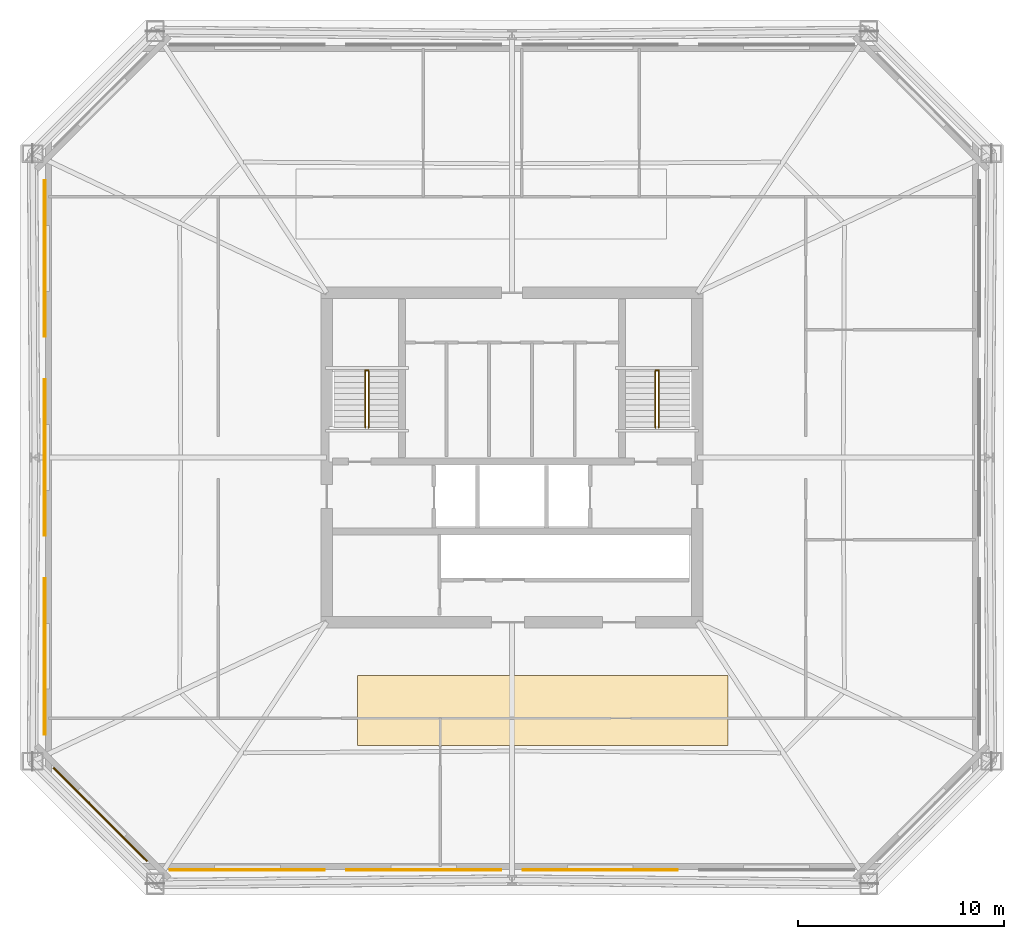
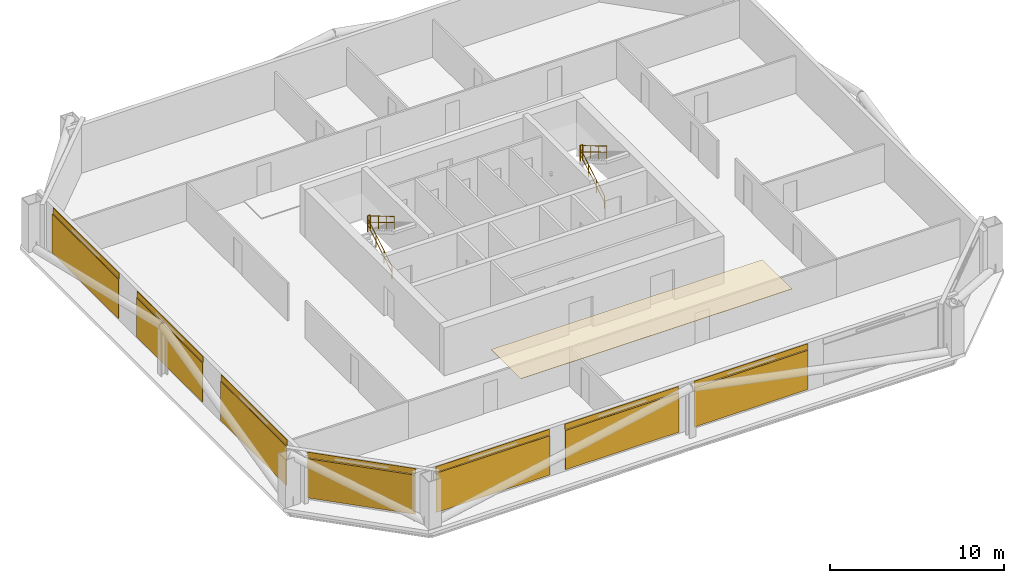
# One storey, part 5 of 6: 8 coverings, 7 shading devices, 6 railings.
"""IFC4 building model written with IfcOpenShell, lengths in metres."""

from ifc_helpers import new_model, si_unit, direction, frame, origin, origin_2d, place, context, subcontext, project, spatial, polyline, rectangle, circle, outline, extrude, material, layer, layer_set, type_object, element, save


model = new_model("IFC4")

# Units and contexts
model_context = context("Model", 3, precision=1e-05, world=origin(), true_north=direction((0.0, 1.0)))
body_context = subcontext(model_context, "Body", "Model", "MODEL_VIEW")
ifc_project = project(units=[si_unit("LENGTHUNIT", "METRE"), si_unit("AREAUNIT", "SQUARE_METRE"), si_unit("VOLUMEUNIT", "CUBIC_METRE"), si_unit("PLANEANGLEUNIT", "RADIAN"), si_unit("MASSUNIT", "GRAM", prefix="KILO")], contexts=[model_context])

# Site, building, storey
site_placement = place(None, origin())
site = spatial("IfcSite", under=ifc_project, at=site_placement, CompositionType="ELEMENT")
building_placement = place(site_placement, origin())
building = spatial("IfcBuilding", under=site, at=building_placement, Name="Caelvoria Tower", CompositionType="ELEMENT")
storey_placement = place(building_placement, frame((0.0, 0.0, 127.60009765625)))
storey = spatial("IfcBuildingStorey", under=building, at=storey_placement, Name="L33", CompositionType="ELEMENT", Elevation=127.60009765625)

# Coverings
ifc_material_1 = material(Name="Acoustic Mineral Fibre Tile", Category="gypsum")
ifc_layer_1 = layer(ifc_material_1, 0.02490234375, Name="Acoustic Mineral Fibre Tile")
ifc_layer_set_1 = layer_set([ifc_layer_1], Name="Mineral-Fibre Acoustic Suspended Ceiling 25 - Acoustic Mineral Fibre Tile")
covering_type_1 = type_object("IfcCoveringType", Name="Mineral-Fibre Acoustic Suspended Ceiling 25", PredefinedType="CEILING", material=ifc_layer_set_1)
covering_1_placement = place(storey_placement, frame((0.0, 0.0, 2.635009765625)))
element("IfcCovering", 1, at=covering_1_placement, inside=storey, type_object=covering_type_1, Name="Suspended Acoustic Ceiling L33", PredefinedType="CEILING", context=body_context, shape_type="SweptSolid", body=[
    extrude(outline(polyline([(38.5, 18.0), (56.5, 18.0), (56.5, 21.39990234375), (38.5, 21.39990234375), (38.5, 18.0)])), origin(), (0.0, 0.0, 1.0), 0.02490234375),
])
ifc_material_2 = material(Name="Perforated Architectural Bronze Cladding Screen", Category="bronze")
ifc_layer_2 = layer(ifc_material_2, 0.0400390625, Name="Perforated Architectural Bronze Cladding Screen")
ifc_layer_set_2 = layer_set([ifc_layer_2], Name="Perforated Bronze Louvre Cladding Band 40 - Perforated Architectural Bronze Cladding Screen")
covering_type_2 = type_object("IfcCoveringType", Name="Perforated Bronze Louvre Cladding Band 40", PredefinedType="CLADDING", material=ifc_layer_set_2)
for number, where, z_axis, x_axis, name in (
    (2, (33.14501953125, 11.97802734375, 2.93994140625), (0.0, 0.0, 1.0), (1.0, 0.0, 0.0), "Perforated Bronze Screen Band L33-E0-00"),
    (3, (41.715087890625, 11.97802734375, 2.93994140625), (0.0, 0.0, 1.0), (1.0, 0.0, 0.0), "Perforated Bronze Screen Band L33-E0-01"),
    (4, (50.284912109375, 11.97802734375, 2.93994140625), (0.0, 0.0, 1.0), (1.0, 0.0, 0.0), "Perforated Bronze Screen Band L33-E0-02"),
):
    element("IfcCovering", number, at=place(storey_placement, frame(where, z_axis=z_axis, x_axis=x_axis)), inside=storey, type_object=covering_type_2, Name=name, PredefinedType="CLADDING", context=body_context, shape_type="SweptSolid", body=[
        extrude(rectangle(XDim=7.54150390625, YDim=0.0400390625, at=origin_2d()), origin(), (0.0, 0.0, 1.0), 0.39990234375),
    ])
for number, where, z_axis, x_axis, name in (
    (5, (23.327880859375, 41.659912109375, 2.93994140625), (0.0, 0.0, 1.0), (0.0, -1.0, 0.0), "Perforated Bronze Screen Band L33-E6-00"),
    (6, (23.327880859375, 32.0, 2.93994140625), (0.0, 0.0, 1.0), (0.0, -1.0, 0.0), "Perforated Bronze Screen Band L33-E6-01"),
    (7, (23.327880859375, 22.340087890625, 2.93994140625), (0.0, 0.0, 1.0), (0.0, -1.0, 0.0), "Perforated Bronze Screen Band L33-E6-02"),
):
    element("IfcCovering", number, at=place(storey_placement, frame(where, z_axis=z_axis, x_axis=x_axis)), inside=storey, type_object=covering_type_2, Name=name, PredefinedType="CLADDING", context=body_context, shape_type="SweptSolid", body=[
        extrude(rectangle(XDim=7.60009765625, YDim=0.0400390625, at=origin_2d()), origin(), (0.0, 0.0, 1.0), 0.39990234375),
    ])
covering_2_placement = place(storey_placement, frame((26.018310546875, 14.668212890625, 2.93994140625), z_axis=(0.0, 0.0, 1.0), x_axis=(0.707106781187, -0.707106781187, 0.0)))
element("IfcCovering", 8, at=covering_2_placement, inside=storey, type_object=covering_type_2, Name="Perforated Bronze Screen Band L33-E7-00", PredefinedType="CLADDING", context=body_context, shape_type="SweptSolid", body=[
    extrude(rectangle(XDim=6.429931640625, YDim=0.0400390625, at=origin_2d()), origin(), (0.0, 0.0, 1.0), 0.39990234375),
])

# Shading devices
ifc_material_3 = material(Name="Perforated Architectural Bronze Alloy Panel", Category="bronze")
ifc_layer_3 = layer(ifc_material_3, 0.044921875, Name="Perforated Architectural Bronze Alloy Panel")
ifc_layer_set_3 = layer_set([ifc_layer_3], Name="Perforated Bronze Solar Screen Panel SCREEN - Perforated Architectural Bronze Alloy Panel")
shading_device_type = type_object("IfcShadingDeviceType", Name="Perforated Bronze Solar Screen Panel SCREEN", PredefinedType="USERDEFINED", material=ifc_layer_set_3)
for number, where, z_axis, x_axis, name in (
    (9, (33.14501953125, 11.93505859375, 0.159912109375), (0.0, 0.0, 1.0), (1.0, 0.0, 0.0), "Perforated Bronze Solar Screen L33-E0-00"),
    (10, (41.715087890625, 11.93505859375, 0.159912109375), (0.0, 0.0, 1.0), (1.0, 0.0, 0.0), "Perforated Bronze Solar Screen L33-E0-01"),
    (11, (50.284912109375, 11.93505859375, 0.159912109375), (0.0, 0.0, 1.0), (1.0, 0.0, 0.0), "Perforated Bronze Solar Screen L33-E0-02"),
):
    element("IfcShadingDevice", number, at=place(storey_placement, frame(where, z_axis=z_axis, x_axis=x_axis)), inside=storey, type_object=shading_device_type, Name=name, ObjectType="SCREEN", PredefinedType="USERDEFINED", context=body_context, shape_type="SweptSolid", body=[
        extrude(rectangle(XDim=7.54150390625, YDim=0.044921875, at=origin_2d()), origin(), (0.0, 0.0, 1.0), 2.75),
    ])
for number, where, z_axis, x_axis, name in (
    (12, (23.284912109375, 41.659912109375, 0.159912109375), (0.0, 0.0, 1.0), (0.0, -1.0, 0.0), "Perforated Bronze Solar Screen L33-E6-00"),
    (13, (23.284912109375, 32.0, 0.159912109375), (0.0, 0.0, 1.0), (0.0, -1.0, 0.0), "Perforated Bronze Solar Screen L33-E6-01"),
    (14, (23.284912109375, 22.340087890625, 0.159912109375), (0.0, 0.0, 1.0), (0.0, -1.0, 0.0), "Perforated Bronze Solar Screen L33-E6-02"),
):
    element("IfcShadingDevice", number, at=place(storey_placement, frame(where, z_axis=z_axis, x_axis=x_axis)), inside=storey, type_object=shading_device_type, Name=name, ObjectType="SCREEN", PredefinedType="USERDEFINED", context=body_context, shape_type="SweptSolid", body=[
        extrude(rectangle(XDim=7.60009765625, YDim=0.044921875, at=origin_2d()), origin(), (0.0, 0.0, 1.0), 2.75),
    ])
shading_device_placement = place(storey_placement, frame((25.98779296875, 14.637939453125, 0.159912109375), z_axis=(0.0, 0.0, 1.0), x_axis=(0.707106781187, -0.707106781187, 0.0)))
element("IfcShadingDevice", 15, at=shading_device_placement, inside=storey, type_object=shading_device_type, Name="Perforated Bronze Solar Screen L33-E7-00", ObjectType="SCREEN", PredefinedType="USERDEFINED", context=body_context, shape_type="SweptSolid", body=[
    extrude(rectangle(XDim=6.429931640625, YDim=0.044921875, at=origin_2d()), origin(), (0.0, 0.0, 1.0), 2.75),
])

# Railings
ifc_material_4 = material(Name="Brushed Stainless Steel Tube", Category="steel")
railing_type_1 = type_object("IfcRailingType", Name="Stair Tubular Stainless Handrail 920", PredefinedType="HANDRAIL", material=ifc_material_4)
railing_1_placement = place(storey_placement, frame((38.8701171875, 33.449951171875, 0.16357421875)))
element("IfcRailing", 16, at=railing_1_placement, inside=storey, type_object=railing_type_1, Name="ST-01 Flight 1 Handrail L33", PredefinedType="HANDRAIL", context=body_context, shape_type="SweptSolid", body=[
    extrude(circle(Radius=0.02392578125, at=origin_2d()), frame((0.0, 0.0, 0.89599609375), z_axis=(0.0, 0.859385484447, 0.511328259656), x_axis=(-1.0, 0.0, 0.0)), (0.0, 0.0, 1.0), 3.199951171875),
    extrude(circle(Radius=0.02392578125, at=origin_2d()), frame((0.0, 0.0, 0.4599609375), z_axis=(0.0, 0.859385484447, 0.511328259656), x_axis=(-1.0, 0.0, 0.0)), (0.0, 0.0, 1.0), 3.199951171875),
    extrude(circle(Radius=0.02099609375, at=origin_2d()), origin(), (0.0, 0.0, 1.0), 0.871826171875),
    extrude(circle(Radius=0.02099609375, at=origin_2d()), frame((0.0, 0.916748046875, 0.54541015625)), (0.0, 0.0, 1.0), 0.871826171875),
    extrude(circle(Radius=0.02099609375, at=origin_2d()), frame((0.0, 1.833251953125, 1.0908203125)), (0.0, 0.0, 1.0), 0.871826171875),
    extrude(circle(Radius=0.02099609375, at=origin_2d()), frame((0.0, 2.75, 1.63623046875)), (0.0, 0.0, 1.0), 0.871826171875),
])
railing_2_placement = place(storey_placement, frame((39.030029296875, 36.199951171875, 1.963623046875)))
element("IfcRailing", 17, at=railing_2_placement, inside=storey, type_object=railing_type_1, Name="ST-01 Flight 2 Handrail L33", PredefinedType="HANDRAIL", context=body_context, shape_type="SweptSolid", body=[
    extrude(circle(Radius=0.02392578125, at=origin_2d()), frame((0.0, 0.0, 0.89599609375), z_axis=(0.0, -0.859385484447, 0.511328259656), x_axis=(1.0, 0.0, 0.0)), (0.0, 0.0, 1.0), 3.199951171875),
    extrude(circle(Radius=0.02392578125, at=origin_2d()), frame((0.0, 0.0, 0.4599609375), z_axis=(0.0, -0.859385484447, 0.511328259656), x_axis=(1.0, 0.0, 0.0)), (0.0, 0.0, 1.0), 3.199951171875),
    extrude(circle(Radius=0.02099609375, at=origin_2d()), origin(), (0.0, 0.0, 1.0), 0.871826171875),
    extrude(circle(Radius=0.02099609375, at=origin_2d()), frame((0.0, -0.916748046875, 0.54541015625)), (0.0, 0.0, 1.0), 0.871826171875),
    extrude(circle(Radius=0.02099609375, at=origin_2d()), frame((0.0, -1.833251953125, 1.0908203125)), (0.0, 0.0, 1.0), 0.871826171875),
    extrude(circle(Radius=0.02099609375, at=origin_2d()), frame((0.0, -2.75, 1.63623046875)), (0.0, 0.0, 1.0), 0.871826171875),
])
railing_3_placement = place(storey_placement, frame((52.969970703125, 33.449951171875, 0.16357421875)))
element("IfcRailing", 18, at=railing_3_placement, inside=storey, type_object=railing_type_1, Name="ST-02 Flight 1 Handrail L33", PredefinedType="HANDRAIL", context=body_context, shape_type="SweptSolid", body=[
    extrude(circle(Radius=0.02392578125, at=origin_2d()), frame((0.0, 0.0, 0.89599609375), z_axis=(0.0, 0.859385484447, 0.511328259656), x_axis=(-1.0, 0.0, 0.0)), (0.0, 0.0, 1.0), 3.199951171875),
    extrude(circle(Radius=0.02392578125, at=origin_2d()), frame((0.0, 0.0, 0.4599609375), z_axis=(0.0, 0.859385484447, 0.511328259656), x_axis=(-1.0, 0.0, 0.0)), (0.0, 0.0, 1.0), 3.199951171875),
    extrude(circle(Radius=0.02099609375, at=origin_2d()), origin(), (0.0, 0.0, 1.0), 0.871826171875),
    extrude(circle(Radius=0.02099609375, at=origin_2d()), frame((0.0, 0.916748046875, 0.54541015625)), (0.0, 0.0, 1.0), 0.871826171875),
    extrude(circle(Radius=0.02099609375, at=origin_2d()), frame((0.0, 1.833251953125, 1.0908203125)), (0.0, 0.0, 1.0), 0.871826171875),
    extrude(circle(Radius=0.02099609375, at=origin_2d()), frame((0.0, 2.75, 1.63623046875)), (0.0, 0.0, 1.0), 0.871826171875),
])
railing_4_placement = place(storey_placement, frame((53.1298828125, 36.199951171875, 1.963623046875)))
element("IfcRailing", 19, at=railing_4_placement, inside=storey, type_object=railing_type_1, Name="ST-02 Flight 2 Handrail L33", PredefinedType="HANDRAIL", context=body_context, shape_type="SweptSolid", body=[
    extrude(circle(Radius=0.02392578125, at=origin_2d()), frame((0.0, 0.0, 0.89599609375), z_axis=(0.0, -0.859385484447, 0.511328259656), x_axis=(1.0, 0.0, 0.0)), (0.0, 0.0, 1.0), 3.199951171875),
    extrude(circle(Radius=0.02392578125, at=origin_2d()), frame((0.0, 0.0, 0.4599609375), z_axis=(0.0, -0.859385484447, 0.511328259656), x_axis=(1.0, 0.0, 0.0)), (0.0, 0.0, 1.0), 3.199951171875),
    extrude(circle(Radius=0.02099609375, at=origin_2d()), origin(), (0.0, 0.0, 1.0), 0.871826171875),
    extrude(circle(Radius=0.02099609375, at=origin_2d()), frame((0.0, -0.916748046875, 0.54541015625)), (0.0, 0.0, 1.0), 0.871826171875),
    extrude(circle(Radius=0.02099609375, at=origin_2d()), frame((0.0, -1.833251953125, 1.0908203125)), (0.0, 0.0, 1.0), 0.871826171875),
    extrude(circle(Radius=0.02099609375, at=origin_2d()), frame((0.0, -2.75, 1.63623046875)), (0.0, 0.0, 1.0), 0.871826171875),
])
ifc_material_5 = material(Name="Brushed Stainless Steel Guardrail", Category="steel")
railing_type_2 = type_object("IfcRailingType", Name="Stair Well and Ramp Guardrail 1120", PredefinedType="GUARDRAIL", material=ifc_material_5)
for number, where, name in (
    (20, (38.8701171875, 36.239990234375, 1.7998046875), "ST-01 Half-Landing Well Guard L33"),
    (21, (52.969970703125, 36.239990234375, 1.7998046875), "ST-02 Half-Landing Well Guard L33"),
):
    element("IfcRailing", number, at=place(storey_placement, frame(where)), inside=storey, type_object=railing_type_2, Name=name, PredefinedType="GUARDRAIL", context=body_context, shape_type="SweptSolid", body=[
        extrude(circle(Radius=0.02392578125, at=origin_2d()), frame((0.0, 0.0, 1.09619140625), z_axis=(1.0, 0.0, 0.0), x_axis=(0.0, 1.0, 0.0)), (0.0, 0.0, 1.0), 0.159912109375),
        extrude(circle(Radius=0.02392578125, at=origin_2d()), frame((0.0, 0.0, 0.56005859375), z_axis=(1.0, 0.0, 0.0), x_axis=(0.0, 1.0, 0.0)), (0.0, 0.0, 1.0), 0.159912109375),
        extrude(circle(Radius=0.02099609375, at=origin_2d()), origin(), (0.0, 0.0, 1.0), 1.072021484375),
        extrude(circle(Radius=0.02099609375, at=origin_2d()), frame((0.159912109375, 0.0, 0.0)), (0.0, 0.0, 1.0), 1.072021484375),
    ])

save(model, "model.ifc")
